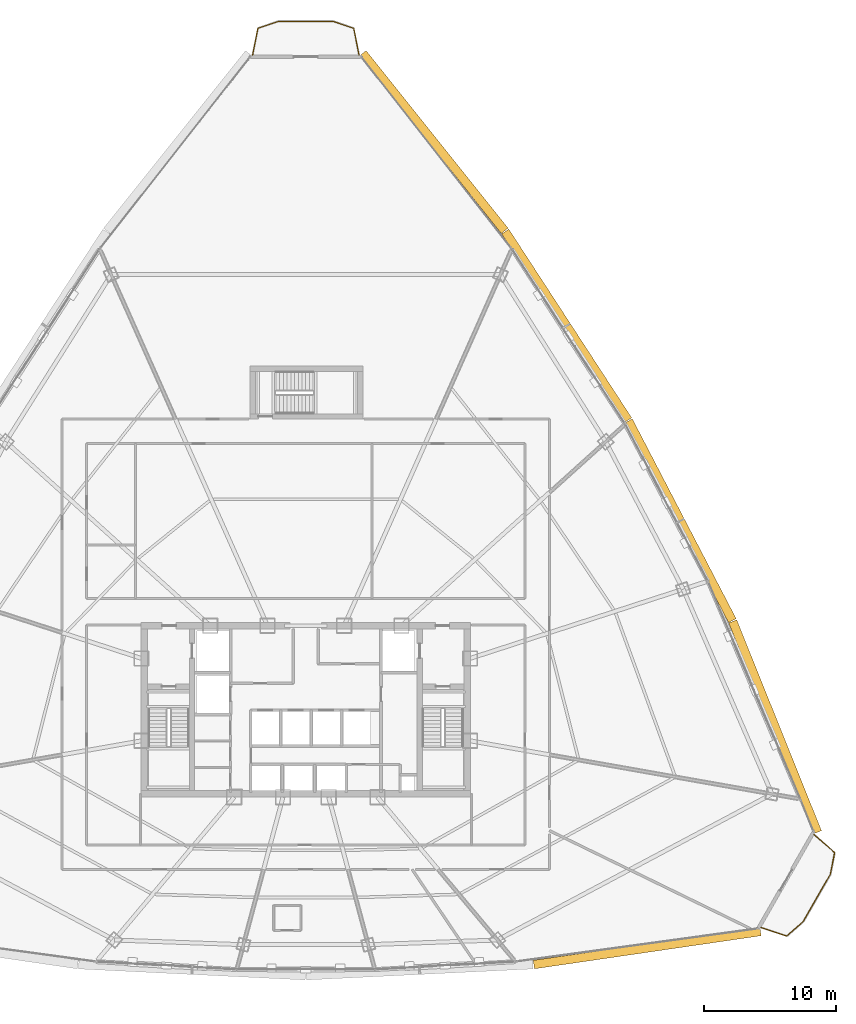
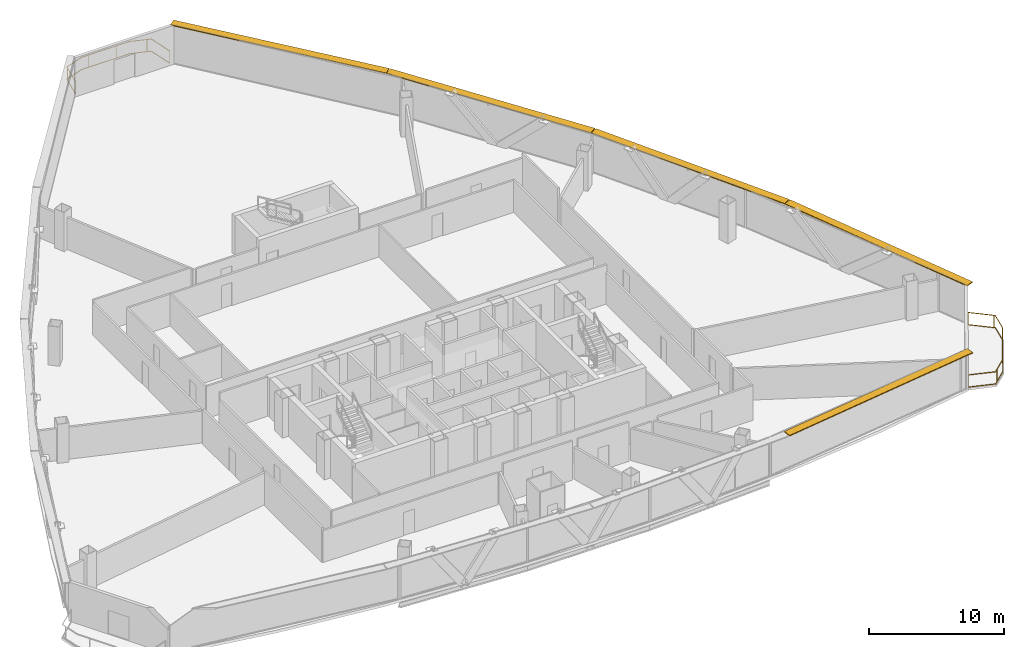
# One storey, part 37 of 37: 5 shading devices, 2 railings.
"""IFC4 building model written with IfcOpenShell, lengths in metres."""

from ifc_helpers import new_model, si_unit, direction, frame, origin, origin_2d, place, context, subcontext, project, spatial, rectangle, extrude, source, transform, mapped, material, layer, layer_set, type_object, element, save


model = new_model("IFC4")

# Units and contexts
model_context = context("Model", 3, precision=1e-05, world=origin(), true_north=direction((0.0, 1.0)))
body_context = subcontext(model_context, "Body", "Model", "MODEL_VIEW")
ifc_project = project(units=[si_unit("LENGTHUNIT", "METRE"), si_unit("AREAUNIT", "SQUARE_METRE"), si_unit("VOLUMEUNIT", "CUBIC_METRE"), si_unit("PLANEANGLEUNIT", "RADIAN"), si_unit("MASSUNIT", "GRAM", prefix="KILO"), si_unit("THERMODYNAMICTEMPERATUREUNIT", "KELVIN"), si_unit("POWERUNIT", "WATT")], contexts=[model_context])

# Site, building, storey
site_placement = place(None, origin())
site = spatial("IfcSite", under=ifc_project, at=site_placement, CompositionType="ELEMENT")
building_placement = place(site_placement, origin())
building = spatial("IfcBuilding", under=site, at=building_placement, Name="Yunzhuo Pagoda Commons", CompositionType="ELEMENT")
storey_placement = place(building_placement, frame((0.0, 0.0, 199.9599609375)))
storey = spatial("IfcBuildingStorey", under=building, at=storey_placement, Name="L50", CompositionType="ELEMENT", Elevation=199.9599609375)

# Railings
ifc_material = material(Name="Anodized aluminium 6063-T6", Category="aluminium")
railing_type = type_object("IfcRailingType", Name="RL-BAL1 Exterior Terrace & Balcony Balustrade 1150", PredefinedType="BALUSTRADE", material=ifc_material)
railing_1_placement = place(storey_placement, frame((82.3671875, 17.419677734375, 0.0)))
element("IfcRailing", 1, at=railing_1_placement, inside=storey, type_object=railing_type, Name="L50 corner balcony balustrade V2", PredefinedType="BALUSTRADE", context=body_context, shape_type="SweptSolid", body=[
    extrude(rectangle(XDim=0.048095703125, YDim=0.048095703125, at=origin_2d()), frame((0.0, 0.0, 1.1259765625), z_axis=(0.947419062147, -0.319995501031, 0.0), x_axis=(0.319995501031, 0.947419062147, 0.0)), (0.0, 0.0, 1.0), 2.05908203125),
    extrude(rectangle(XDim=0.048095703125, YDim=0.048095703125, at=origin_2d()), frame((0.0, 0.0, 0.02392578125), z_axis=(0.947419062147, -0.319995501031, 0.0), x_axis=(0.319995501031, 0.947419062147, 0.0)), (0.0, 0.0, 1.0), 2.05908203125),
    extrude(rectangle(XDim=0.048095703125, YDim=0.048095703125, at=origin_2d()), frame((1.950927734375, -0.658935546875, 1.1259765625), z_axis=(0.748072290348, 0.663617245416, 0.0), x_axis=(-0.663617245416, 0.748072290348, 0.0)), (0.0, 0.0, 1.0), 1.6650390625),
    extrude(rectangle(XDim=0.048095703125, YDim=0.048095703125, at=origin_2d()), frame((1.950927734375, -0.658935546875, 0.02392578125), z_axis=(0.748072290348, 0.663617245416, 0.0), x_axis=(-0.663617245416, 0.748072290348, 0.0)), (0.0, 0.0, 1.0), 1.6650390625),
    extrude(rectangle(XDim=0.048095703125, YDim=0.048095703125, at=origin_2d()), frame((3.196533203125, 0.446044921875, 1.1259765625), z_axis=(0.497919550018, 0.867223224844, 0.0), x_axis=(-0.867223224844, 0.497919550018, 0.0)), (0.0, 0.0, 1.0), 4.1171875),
    extrude(rectangle(XDim=0.048095703125, YDim=0.048095703125, at=origin_2d()), frame((3.196533203125, 0.446044921875, 0.02392578125), z_axis=(0.497919550018, 0.867223224844, 0.0), x_axis=(-0.867223224844, 0.497919550018, 0.0)), (0.0, 0.0, 1.0), 4.1171875),
    extrude(rectangle(XDim=0.048095703125, YDim=0.048095703125, at=origin_2d()), frame((5.24658203125, 4.0166015625, 1.1259765625), z_axis=(0.196031545686, 0.980597589787, 0.0), x_axis=(-0.980597589787, 0.196031545686, 0.0)), (0.0, 0.0, 1.0), 1.6650390625),
    extrude(rectangle(XDim=0.048095703125, YDim=0.048095703125, at=origin_2d()), frame((5.24658203125, 4.0166015625, 0.02392578125), z_axis=(0.196031545686, 0.980597589787, 0.0), x_axis=(-0.980597589787, 0.196031545686, 0.0)), (0.0, 0.0, 1.0), 1.6650390625),
    extrude(rectangle(XDim=0.048095703125, YDim=0.048095703125, at=origin_2d()), frame((5.572998046875, 5.6494140625, 1.1259765625), z_axis=(-0.753933830692, 0.656950362614, 0.0), x_axis=(-0.656950362614, -0.753933830692, 0.0)), (0.0, 0.0, 1.0), 2.05908203125),
    extrude(rectangle(XDim=0.048095703125, YDim=0.048095703125, at=origin_2d()), frame((5.572998046875, 5.6494140625, 0.02392578125), z_axis=(-0.753933830692, 0.656950362614, 0.0), x_axis=(-0.656950362614, -0.753933830692, 0.0)), (0.0, 0.0, 1.0), 2.05908203125),
    extrude(rectangle(XDim=0.0419921875, YDim=0.0419921875, at=origin_2d()), origin(), (0.0, 0.0, 1.0), 1.101806640625),
    extrude(rectangle(XDim=0.0419921875, YDim=0.0419921875, at=origin_2d()), frame((2.205810546875, -0.432861328125, 0.0)), (0.0, 0.0, 1.0), 1.101806640625),
    extrude(rectangle(XDim=0.0419921875, YDim=0.0419921875, at=origin_2d()), frame((3.732177734375, 1.37890625, 0.0)), (0.0, 0.0, 1.0), 1.101806640625),
    extrude(rectangle(XDim=0.0419921875, YDim=0.0419921875, at=origin_2d()), frame((4.92724609375, 3.460205078125, 0.0)), (0.0, 0.0, 1.0), 1.101806640625),
    extrude(rectangle(XDim=0.0419921875, YDim=0.0419921875, at=origin_2d()), frame((5.502685546875, 5.710693359375, 0.0)), (0.0, 0.0, 1.0), 1.101806640625),
    extrude(rectangle(XDim=0.0419921875, YDim=0.0419921875, at=origin_2d()), frame((4.0205078125, 7.002197265625, 0.0)), (0.0, 0.0, 1.0), 1.101806640625),
])
railing_2_placement = place(storey_placement, frame((52.02001953125, 83.297607421875, 0.0)))
element("IfcRailing", 2, at=railing_2_placement, inside=storey, type_object=railing_type, Name="L50 corner balcony balustrade V3", PredefinedType="BALUSTRADE", context=body_context, shape_type="SweptSolid", body=[
    extrude(rectangle(XDim=0.048095703125, YDim=0.048095703125, at=origin_2d()), frame((0.0, 0.0, 1.1259765625), z_axis=(-0.194223156668, 0.980957371864, 0.0), x_axis=(-0.980957371864, -0.194223156668, 0.0)), (0.0, 0.0, 1.0), 2.05908203125),
    extrude(rectangle(XDim=0.048095703125, YDim=0.048095703125, at=origin_2d()), frame((0.0, 0.0, 0.02392578125), z_axis=(-0.194223156668, 0.980957371864, 0.0), x_axis=(-0.980957371864, -0.194223156668, 0.0)), (0.0, 0.0, 1.0), 2.05908203125),
    extrude(rectangle(XDim=0.048095703125, YDim=0.048095703125, at=origin_2d()), frame((-0.39990234375, 2.019775390625, 1.1259765625), z_axis=(-0.947468283032, 0.319849734483, 0.0), x_axis=(-0.319849734483, -0.947468283032, 0.0)), (0.0, 0.0, 1.0), 1.6572265625),
    extrude(rectangle(XDim=0.048095703125, YDim=0.048095703125, at=origin_2d()), frame((-0.39990234375, 2.019775390625, 0.02392578125), z_axis=(-0.947468283032, 0.319849734483, 0.0), x_axis=(-0.319849734483, -0.947468283032, 0.0)), (0.0, 0.0, 1.0), 1.6572265625),
    extrude(rectangle(XDim=0.048095703125, YDim=0.048095703125, at=origin_2d()), frame((-1.969970703125, 2.5498046875, 1.1259765625), z_axis=(-1.0, 0.0, 0.0), x_axis=(0.0, -1.0, 0.0)), (0.0, 0.0, 1.0), 4.10009765625),
    extrude(rectangle(XDim=0.048095703125, YDim=0.048095703125, at=origin_2d()), frame((-1.969970703125, 2.5498046875, 0.02392578125), z_axis=(-1.0, 0.0, 0.0), x_axis=(0.0, -1.0, 0.0)), (0.0, 0.0, 1.0), 4.10009765625),
    extrude(rectangle(XDim=0.048095703125, YDim=0.048095703125, at=origin_2d()), frame((-6.070068359375, 2.5498046875, 1.1259765625), z_axis=(-0.947468283032, -0.319849734483, 0.0), x_axis=(0.319849734483, -0.947468283032, 0.0)), (0.0, 0.0, 1.0), 1.6572265625),
    extrude(rectangle(XDim=0.048095703125, YDim=0.048095703125, at=origin_2d()), frame((-6.070068359375, 2.5498046875, 0.02392578125), z_axis=(-0.947468283032, -0.319849734483, 0.0), x_axis=(0.319849734483, -0.947468283032, 0.0)), (0.0, 0.0, 1.0), 1.6572265625),
    extrude(rectangle(XDim=0.048095703125, YDim=0.048095703125, at=origin_2d()), frame((-7.64013671875, 2.019775390625, 1.1259765625), z_axis=(-0.194223156668, -0.980957371864, 0.0), x_axis=(0.980957371864, -0.194223156668, 0.0)), (0.0, 0.0, 1.0), 2.05908203125),
    extrude(rectangle(XDim=0.048095703125, YDim=0.048095703125, at=origin_2d()), frame((-7.64013671875, 2.019775390625, 0.02392578125), z_axis=(-0.194223156668, -0.980957371864, 0.0), x_axis=(0.980957371864, -0.194223156668, 0.0)), (0.0, 0.0, 1.0), 2.05908203125),
    extrude(rectangle(XDim=0.0419921875, YDim=0.0419921875, at=origin_2d()), origin(), (0.0, 0.0, 1.0), 1.101806640625),
    extrude(rectangle(XDim=0.0419921875, YDim=0.0419921875, at=origin_2d()), frame((-0.722900390625, 2.12890625, 0.0)), (0.0, 0.0, 1.0), 1.101806640625),
    extrude(rectangle(XDim=0.0419921875, YDim=0.0419921875, at=origin_2d()), frame((-3.053955078125, 2.5498046875, 0.0)), (0.0, 0.0, 1.0), 1.101806640625),
    extrude(rectangle(XDim=0.0419921875, YDim=0.0419921875, at=origin_2d()), frame((-5.453857421875, 2.5498046875, 0.0)), (0.0, 0.0, 1.0), 1.101806640625),
    extrude(rectangle(XDim=0.0419921875, YDim=0.0419921875, at=origin_2d()), frame((-7.664794921875, 1.8955078125, 0.0)), (0.0, 0.0, 1.0), 1.101806640625),
    extrude(rectangle(XDim=0.0419921875, YDim=0.0419921875, at=origin_2d()), frame((-8.0400390625, 0.0, 0.0)), (0.0, 0.0, 1.0), 1.101806640625),
])

# Shading devices
ifc_layer = layer(ifc_material, 0.080078125)
ifc_layer_set = layer_set([ifc_layer], Name="Anodized aluminium 6063-T6")
shading_device_type = type_object("IfcShadingDeviceType", Name="SH-SUN1 Pagoda Horizontal Sunshade Eave 650", PredefinedType="USERDEFINED", material=ifc_layer_set)
shared_shape_1 = source(origin(), body_context, "Body", "SweptSolid", [
    extrude(rectangle(XDim=17.3056640625, YDim=0.64990234375, at=origin_2d()), origin(), (0.0, 0.0, 1.0), 0.080078125),
])
shading_device_1_placement = place(storey_placement, frame((73.780029296875, 15.860107421875, 3.4599609375), z_axis=(0.0, 0.0, 1.0), x_axis=(0.989510666697, 0.144459823108, 0.0)))
element("IfcShadingDevice", 3, at=shading_device_1_placement, inside=storey, type_object=shading_device_type, Name="L50 horizontal pagoda sunshade eave F1.4", ObjectType="SUNSHADE", PredefinedType="USERDEFINED", context=body_context, shape_type="MappedRepresentation", body=[
    mapped(shared_shape_1, transform((0.0, 0.0, 0.0), scale=1.0)),
])
shared_shape_2 = source(origin(), body_context, "Body", "SweptSolid", [
    extrude(rectangle(XDim=17.16650390625, YDim=0.64990234375, at=origin_2d()), origin(), (0.0, 0.0, 1.0), 0.080078125),
])
for number, where, z_axis, x_axis, name in (
    (4, (83.441162109375, 32.56298828125, 3.4599609375), (0.0, 0.0, 1.0), (-0.372987782576, 0.927836253899, 0.0), "L50 horizontal pagoda sunshade eave F2.1"),
    (5, (57.660400390625, 76.728271484375, 3.4599609375), (0.0, 0.0, 1.0), (-0.624520471688, 0.781008438138, 0.0), "L50 horizontal pagoda sunshade eave F2.4"),
):
    element("IfcShadingDevice", number, at=place(storey_placement, frame(where, z_axis=z_axis, x_axis=x_axis)), inside=storey, type_object=shading_device_type, Name=name, ObjectType="SUNSHADE", PredefinedType="USERDEFINED", context=body_context, shape_type="MappedRepresentation", body=[
        mapped(shared_shape_2, transform((0.0, 0.0, 0.0), scale=1.0)),
    ])
shared_shape_3 = source(origin(), body_context, "Body", "SweptSolid", [
    extrude(rectangle(XDim=17.003662109375, YDim=0.64990234375, at=origin_2d()), origin(), (0.0, 0.0, 1.0), 0.080078125),
])
shading_device_2_placement = place(storey_placement, frame((76.292236328125, 48.1279296875, 3.4599609375), z_axis=(0.0, 0.0, 1.0), x_axis=(-0.461206683033, 0.88729273384, 0.0)))
element("IfcShadingDevice", 6, at=shading_device_2_placement, inside=storey, type_object=shading_device_type, Name="L50 horizontal pagoda sunshade eave F2.2", ObjectType="SUNSHADE", PredefinedType="USERDEFINED", context=body_context, shape_type="MappedRepresentation", body=[
    mapped(shared_shape_3, transform((0.0, 0.0, 0.0), scale=1.0)),
])
shared_shape_4 = source(origin(), body_context, "Body", "SweptSolid", [
    extrude(rectangle(XDim=17.00341796875, YDim=0.64990234375, at=origin_2d()), origin(), (0.0, 0.0, 1.0), 0.080078125),
])
shading_device_3_placement = place(storey_placement, frame((67.698486328125, 62.849853515625, 3.4599609375), z_axis=(0.0, 0.0, 1.0), x_axis=(-0.545838756973, 0.837890238269, 0.0)))
element("IfcShadingDevice", 7, at=shading_device_3_placement, inside=storey, type_object=shading_device_type, Name="L50 horizontal pagoda sunshade eave F2.3", ObjectType="SUNSHADE", PredefinedType="USERDEFINED", context=body_context, shape_type="MappedRepresentation", body=[
    mapped(shared_shape_4, transform((0.0, 0.0, 0.0), scale=1.0)),
])

save(model, "model.ifc")
